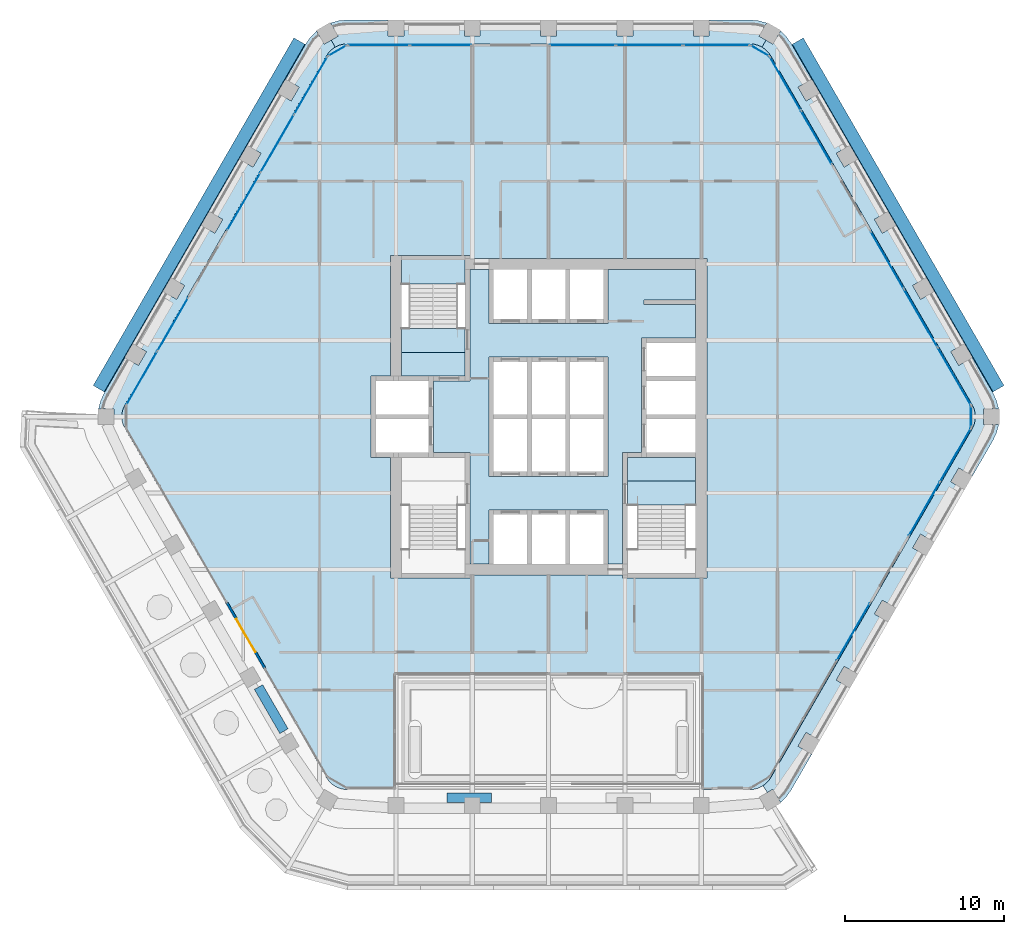
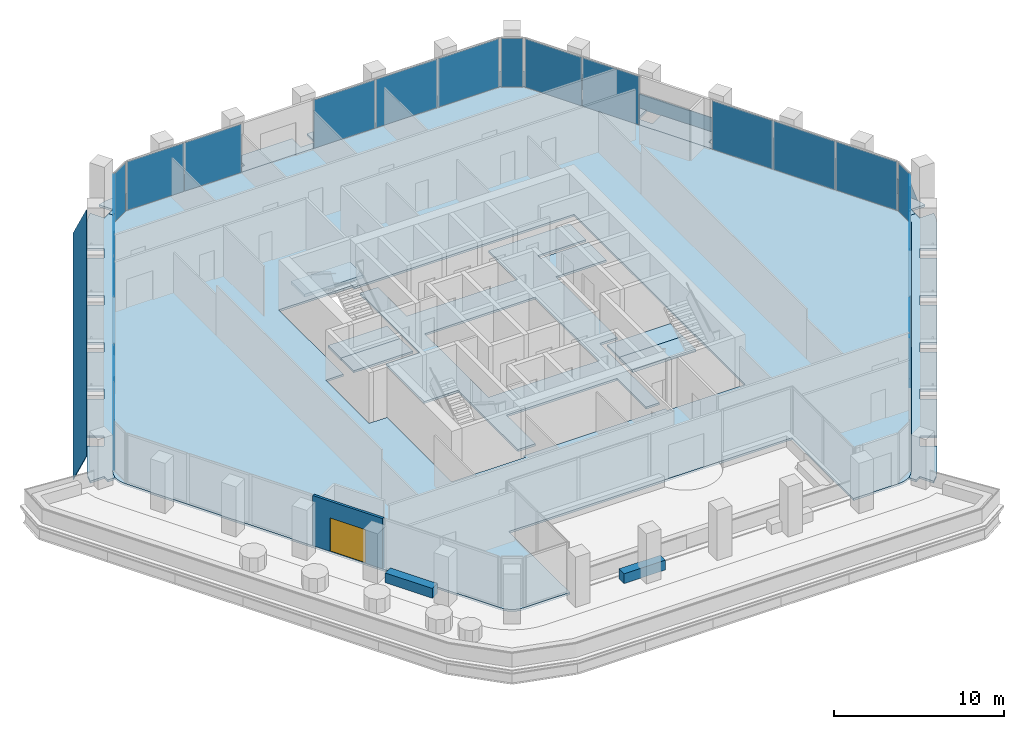
# One storey, part 11 of 18: 23 plates, 11 slabs, 3 walls, 1 door, 1 opening, 13 elements without a shape of their own.
"""IFC4 building model written with IfcOpenShell, lengths in metres."""

from ifc_helpers import new_model, si_unit, direction, frame, frame_2d, origin, origin_2d, place, context, subcontext, project, spatial, polyline, rectangle, outline, extrude, material, layer, layer_set, type_object, element, fill, aggregate, save


model = new_model("IFC4")

# Units and contexts
model_context = context("Model", 3, precision=1e-05, world=origin(), true_north=direction((0.0, 1.0)))
body_context = subcontext(model_context, "Body", "Model", "MODEL_VIEW")
ifc_project = project(units=[si_unit("LENGTHUNIT", "METRE"), si_unit("AREAUNIT", "SQUARE_METRE"), si_unit("VOLUMEUNIT", "CUBIC_METRE"), si_unit("PLANEANGLEUNIT", "RADIAN"), si_unit("MASSUNIT", "GRAM", prefix="KILO")], contexts=[model_context])

# Site, building, storey
site_placement = place(None, origin())
site = spatial("IfcSite", under=ifc_project, at=site_placement, CompositionType="ELEMENT")
building_placement = place(site_placement, origin())
building = spatial("IfcBuilding", under=site, at=building_placement, Name="Kolab Exchange Tower", CompositionType="ELEMENT")
storey_placement = place(building_placement, frame((0.0, 0.0, 212.89990234375)))
storey = spatial("IfcBuildingStorey", under=building, at=storey_placement, Name="L46", CompositionType="ELEMENT", Elevation=212.89990234375)

# Slabs
ifc_material_1 = material(Name="Concrete C35/45", Category="concrete")
ifc_layer_1 = layer(ifc_material_1, 0.14990234375)
ifc_layer_set_1 = layer_set([ifc_layer_1], Name="Concrete C35/45")
slab_type_1 = type_object("IfcSlabType", Name="FLOOR SLAB 150", PredefinedType="FLOOR", material=ifc_layer_set_1)
slab_1_placement = place(storey_placement, frame((0.0, 0.0, -0.14990234375)))
element("IfcSlab", 1, at=slab_1_placement, inside=storey, type_object=slab_type_1, Name="slab/L46/floor/0", PredefinedType="FLOOR", context=body_context, shape_type="SweptSolid", body=[
    extrude(outline(polyline([(-12.66796875, -23.441650390625), (-9.60009765625, -23.441650390625), (-9.60009765625, -16.241455078125), (9.60009765625, -16.241455078125), (9.60009765625, -23.441650390625), (12.66796875, -23.441650390625), (12.928466796875, -23.418701171875), (13.180908203125, -23.35107421875), (13.41796875, -23.240478515625), (13.632080078125, -23.090576171875), (13.81689453125, -22.90576171875), (13.967041015625, -22.691650390625), (26.635009765625, -0.75), (26.745361328125, -0.512939453125), (26.81298828125, -0.260498046875), (26.8359375, 0.0), (26.81298828125, 0.260498046875), (26.745361328125, 0.512939453125), (26.635009765625, 0.75), (13.967041015625, 22.691650390625), (13.81689453125, 22.90576171875), (13.632080078125, 23.090576171875), (13.41796875, 23.240478515625), (13.180908203125, 23.35107421875), (12.928466796875, 23.418701171875), (12.66796875, 23.441650390625), (-12.66796875, 23.441650390625), (-12.928466796875, 23.418701171875), (-13.180908203125, 23.35107421875), (-13.41796875, 23.240478515625), (-13.632080078125, 23.090576171875), (-13.81689453125, 22.90576171875), (-13.967041015625, 22.691650390625), (-26.635009765625, 0.75), (-26.745361328125, 0.512939453125), (-26.81298828125, 0.260498046875), (-26.8359375, 0.0), (-26.81298828125, -0.260498046875), (-26.745361328125, -0.512939453125), (-26.635009765625, -0.75), (-13.967041015625, -22.691650390625), (-13.81689453125, -22.90576171875), (-13.632080078125, -23.090576171875), (-13.41796875, -23.240478515625), (-13.180908203125, -23.35107421875), (-12.928466796875, -23.418701171875), (-12.66796875, -23.441650390625)]), holes=[polyline([(-9.25, -10.14990234375), (-9.949951171875, -10.14990234375), (-9.949951171875, -2.550048828125), (-10.85009765625, -2.550048828125), (-11.14990234375, -2.550048828125), (-11.14990234375, 2.550048828125), (-10.85009765625, 2.550048828125), (-9.949951171875, 2.550048828125), (-9.949951171875, 10.14990234375), (-9.25, 10.14990234375), (-5.25, 10.14990234375), (-4.949951171875, 10.14990234375), (-4.949951171875, 9.949951171875), (9.25, 9.949951171875), (9.949951171875, 9.949951171875), (9.949951171875, -10.14990234375), (9.25, -10.14990234375), (4.949951171875, -10.14990234375), (4.64990234375, -10.14990234375), (4.64990234375, -9.949951171875), (-4.949951171875, -9.949951171875), (-4.949951171875, -10.14990234375), (-5.25, -10.14990234375), (-9.25, -10.14990234375)])]), origin(), (0.0, 0.0, 1.0), 0.14990234375),
])
slab_2_placement = place(storey_placement, frame((0.0, 0.0, -0.14990234375)))
element("IfcSlab", 2, at=slab_2_placement, inside=storey, type_object=slab_type_1, Name="slab/L46/floor/1", PredefinedType="FLOOR", context=body_context, shape_type="SweptSolid", body=[
    extrude(outline(polyline([(-4.949951171875, 9.25), (-4.949951171875, 2.25), (-5.25, 2.25), (-7.25, 2.25), (-7.25, -2.25), (-5.25, -2.25), (-4.949951171875, -2.25), (-4.949951171875, -9.25), (-3.75, -9.25), (-3.75, -5.85009765625), (-3.449951171875, -5.85009765625), (-1.35009765625, -5.85009765625), (-1.050048828125, -5.85009765625), (1.050048828125, -5.85009765625), (1.35009765625, -5.85009765625), (3.449951171875, -5.85009765625), (3.75, -5.85009765625), (3.75, -9.25), (4.64990234375, -9.25), (4.64990234375, -2.25), (4.949951171875, -2.25), (5.85009765625, -2.25), (5.85009765625, 4.949951171875), (6.14990234375, 4.949951171875), (9.25, 4.949951171875), (9.25, 7.050048828125), (6.0, 7.050048828125), (6.0, 7.35009765625), (9.25, 7.35009765625), (9.25, 9.25), (3.75, 9.25), (3.75, 5.85009765625), (3.449951171875, 5.85009765625), (1.35009765625, 5.85009765625), (1.050048828125, 5.85009765625), (-1.050048828125, 5.85009765625), (-1.35009765625, 5.85009765625), (-3.449951171875, 5.85009765625), (-3.75, 5.85009765625), (-3.75, 9.25), (-4.949951171875, 9.25)]), holes=[polyline([(-3.449951171875, -3.75), (-3.75, -3.75), (-3.75, 3.75), (-3.449951171875, 3.75), (-1.35009765625, 3.75), (-1.050048828125, 3.75), (1.050048828125, 3.75), (1.35009765625, 3.75), (3.449951171875, 3.75), (3.75, 3.75), (3.75, -3.75), (3.449951171875, -3.75), (1.35009765625, -3.75), (1.050048828125, -3.75), (-1.050048828125, -3.75), (-1.35009765625, -3.75), (-3.449951171875, -3.75)])]), origin(), (0.0, 0.0, 1.0), 0.14990234375),
])
slab_3_placement = place(storey_placement, frame((0.0, 0.0, -0.14990234375)))
element("IfcSlab", 3, at=slab_3_placement, inside=storey, type_object=slab_type_1, Name="slab/L46/floor/2", PredefinedType="FLOOR", context=body_context, shape_type="SweptSolid", body=[
    extrude(outline(polyline([(4.949951171875, -4.050048828125), (9.25, -4.050048828125), (9.25, -2.550048828125), (6.14990234375, -2.550048828125), (5.85009765625, -2.550048828125), (4.949951171875, -2.550048828125), (4.949951171875, -4.050048828125)])), origin(), (0.0, 0.0, 1.0), 0.14990234375),
])
slab_4_placement = place(storey_placement, frame((0.0, 0.0, -0.14990234375)))
element("IfcSlab", 4, at=slab_4_placement, inside=storey, type_object=slab_type_1, Name="slab/L46/floor/4", PredefinedType="FLOOR", context=body_context, shape_type="SweptSolid", body=[
    extrude(outline(polyline([(-9.25, 2.550048828125), (-7.550048828125, 2.550048828125), (-7.25, 2.550048828125), (-5.25, 2.550048828125), (-5.25, 4.050048828125), (-9.25, 4.050048828125), (-9.25, 2.550048828125)])), origin(), (0.0, 0.0, 1.0), 0.14990234375),
])
ifc_layer_2 = layer(ifc_material_1, 0.14990234375)
ifc_layer_set_2 = layer_set([ifc_layer_2], Name="Concrete C35/45")
slab_type_2 = type_object("IfcSlabType", Name="LOGGIA SLAB 150", PredefinedType="FLOOR", material=ifc_layer_set_2)
slab_5_placement = place(storey_placement, frame((0.0, 0.0, -0.14990234375)))
element("IfcSlab", 5, at=slab_5_placement, inside=storey, type_object=slab_type_2, Name="slab/L46/loggia/0-0", PredefinedType="FLOOR", context=body_context, shape_type="SweptSolid", body=[
    extrude(outline(polyline([(13.180908203125, 23.35107421875), (13.41796875, 23.240478515625), (13.66796875, 23.673583984375), (13.23486328125, 23.923583984375), (13.713134765625, 24.751708984375), (13.694091796875, 24.760498046875), (13.18896484375, 24.89599609375), (12.66796875, 24.941650390625), (10.10009765625, 24.941650390625), (10.10009765625, 23.941650390625), (9.10009765625, 23.941650390625), (9.10009765625, 24.941650390625), (5.300048828125, 24.941650390625), (5.300048828125, 23.941650390625), (4.300048828125, 23.941650390625), (4.300048828125, 24.941650390625), (0.5, 24.941650390625), (0.5, 23.941650390625), (-0.5, 23.941650390625), (-0.5, 24.941650390625), (-4.300048828125, 24.941650390625), (-4.300048828125, 23.941650390625), (-5.300048828125, 23.941650390625), (-5.300048828125, 24.941650390625), (-9.10009765625, 24.941650390625), (-9.10009765625, 23.941650390625), (-10.10009765625, 23.941650390625), (-10.10009765625, 24.941650390625), (-12.66796875, 24.941650390625), (-13.18896484375, 24.89599609375), (-13.694091796875, 24.760498046875), (-13.713134765625, 24.751708984375), (-13.23486328125, 23.923583984375), (-13.66796875, 23.673583984375), (-13.41796875, 23.240478515625), (-13.180908203125, 23.35107421875), (-12.928466796875, 23.418701171875), (-12.66796875, 23.441650390625), (12.66796875, 23.441650390625), (12.928466796875, 23.418701171875), (13.180908203125, 23.35107421875)])), origin(), (0.0, 0.0, 1.0), 0.14990234375),
])
slab_6_placement = place(storey_placement, frame((0.0, 0.0, -0.14990234375)))
element("IfcSlab", 6, at=slab_6_placement, inside=storey, type_object=slab_type_2, Name="slab/L46/loggia/1-0", PredefinedType="FLOOR", context=body_context, shape_type="SweptSolid", body=[
    extrude(outline(polyline([(26.81298828125, 0.260498046875), (26.8359375, 0.0), (27.3359375, 0.0), (27.3359375, 0.5), (28.292236328125, 0.5), (28.290283203125, 0.52099609375), (28.155029296875, 1.026123046875), (27.93408203125, 1.5), (26.64990234375, 3.723876953125), (25.783935546875, 3.223876953125), (25.283935546875, 4.08984375), (26.14990234375, 4.58984375), (24.25, 7.880859375), (23.384033203125, 7.380859375), (22.884033203125, 8.246826171875), (23.75, 8.746826171875), (21.85009765625, 12.037841796875), (20.98388671875, 11.537841796875), (20.48388671875, 12.40380859375), (21.35009765625, 12.90380859375), (19.449951171875, 16.194580078125), (18.583984375, 15.694580078125), (18.083984375, 16.560791015625), (18.949951171875, 17.060791015625), (17.050048828125, 20.3515625), (16.18408203125, 19.8515625), (15.68408203125, 20.717529296875), (16.550048828125, 21.217529296875), (15.26611328125, 23.441650390625), (14.966064453125, 23.869873046875), (14.59619140625, 24.23974609375), (14.5791015625, 24.251708984375), (14.10107421875, 23.423583984375), (13.66796875, 23.673583984375), (13.41796875, 23.240478515625), (13.632080078125, 23.090576171875), (13.81689453125, 22.90576171875), (13.967041015625, 22.691650390625), (26.635009765625, 0.75), (26.745361328125, 0.512939453125), (26.81298828125, 0.260498046875)])), origin(), (0.0, 0.0, 1.0), 0.14990234375),
])
slab_7_placement = place(storey_placement, frame((0.0, 0.0, -0.14990234375)))
element("IfcSlab", 7, at=slab_7_placement, inside=storey, type_object=slab_type_2, Name="slab/L46/loggia/2-0", PredefinedType="FLOOR", context=body_context, shape_type="SweptSolid", body=[
    extrude(outline(polyline([(14.966064453125, -23.869873046875), (15.26611328125, -23.441650390625), (16.550048828125, -21.217529296875), (15.68408203125, -20.717529296875), (16.18408203125, -19.8515625), (17.050048828125, -20.3515625), (18.949951171875, -17.060791015625), (18.083984375, -16.560791015625), (18.583984375, -15.694580078125), (19.449951171875, -16.194580078125), (21.35009765625, -12.90380859375), (20.48388671875, -12.40380859375), (20.98388671875, -11.537841796875), (21.85009765625, -12.037841796875), (23.75, -8.746826171875), (22.884033203125, -8.246826171875), (23.384033203125, -7.380859375), (24.25, -7.880859375), (26.14990234375, -4.58984375), (25.283935546875, -4.08984375), (25.783935546875, -3.223876953125), (26.64990234375, -3.723876953125), (27.93408203125, -1.5), (28.155029296875, -1.026123046875), (28.290283203125, -0.52099609375), (28.292236328125, -0.5), (27.3359375, -0.5), (27.3359375, 0.0), (26.8359375, 0.0), (26.81298828125, -0.260498046875), (26.745361328125, -0.512939453125), (26.635009765625, -0.75), (13.967041015625, -22.691650390625), (13.81689453125, -22.90576171875), (13.632080078125, -23.090576171875), (13.480224609375, -23.197021484375), (13.75537109375, -23.623046875), (14.10107421875, -23.423583984375), (14.5791015625, -24.251708984375), (14.59619140625, -24.23974609375), (14.966064453125, -23.869873046875)])), origin(), (0.0, 0.0, 1.0), 0.14990234375),
])
slab_8_placement = place(storey_placement, frame((0.0, 0.0, -0.14990234375)))
element("IfcSlab", 8, at=slab_8_placement, inside=storey, type_object=slab_type_2, Name="slab/L46/loggia/5-0", PredefinedType="FLOOR", context=body_context, shape_type="SweptSolid", body=[
    extrude(outline(polyline([(-13.632080078125, 23.090576171875), (-13.41796875, 23.240478515625), (-13.66796875, 23.673583984375), (-14.10107421875, 23.423583984375), (-14.5791015625, 24.251708984375), (-14.59619140625, 24.23974609375), (-14.966064453125, 23.869873046875), (-15.26611328125, 23.441650390625), (-16.550048828125, 21.217529296875), (-15.68408203125, 20.717529296875), (-16.18408203125, 19.8515625), (-17.050048828125, 20.3515625), (-18.949951171875, 17.060791015625), (-18.083984375, 16.560791015625), (-18.583984375, 15.694580078125), (-19.449951171875, 16.194580078125), (-21.35009765625, 12.90380859375), (-20.48388671875, 12.40380859375), (-20.98388671875, 11.537841796875), (-21.85009765625, 12.037841796875), (-23.75, 8.746826171875), (-22.884033203125, 8.246826171875), (-23.384033203125, 7.380859375), (-24.25, 7.880859375), (-26.14990234375, 4.58984375), (-25.283935546875, 4.08984375), (-25.783935546875, 3.223876953125), (-26.64990234375, 3.723876953125), (-27.93408203125, 1.5), (-28.155029296875, 1.026123046875), (-28.290283203125, 0.52099609375), (-28.292236328125, 0.5), (-27.3359375, 0.5), (-27.3359375, 0.10107421875), (-26.829345703125, 0.07568359375), (-26.81298828125, 0.260498046875), (-26.745361328125, 0.512939453125), (-26.635009765625, 0.75), (-13.967041015625, 22.691650390625), (-13.81689453125, 22.90576171875), (-13.632080078125, 23.090576171875)])), origin(), (0.0, 0.0, 1.0), 0.14990234375),
])

# Plates
ifc_material_2 = material(Name="Laminated glass, clear", Category="glass")
ifc_layer_3 = layer(ifc_material_2, 0.0400390625)
ifc_layer_set_3 = layer_set([ifc_layer_3], Name="Laminated glass, clear")
plate_type_1 = type_object("IfcPlateType", Name="OUTER SKIN LAMINATED GLASS SHEET 40", PredefinedType="SHEET", material=ifc_layer_set_3)
plate_1_placement = place(storey_placement, frame((16.012939453125, 23.81494140625, -0.68310546875), z_axis=(0.784921424967, 0.453177541769, 0.422526297718), x_axis=(0.500002437608, -0.866023996427, 0.0)))
element("IfcPlate", 9, at=plate_1_placement, inside=storey, type_object=plate_type_1, Name="Outer skin", PredefinedType="SHEET", context=body_context, shape_type="SweptSolid", body=[
    extrude(outline(polyline([(0.0, 0.0), (25.23571681420436, 8.881784197001252e-16), (25.23576815517371, -1.8869132493470469), (5.13409693500401e-05, -1.8869132493470473), (0.0, 0.0)])), origin(), (0.0, 0.0, -1.0), 0.0400390625),
])
plate_2_placement = place(storey_placement, frame((-28.630859375, 1.960205078125, -0.68310546875), z_axis=(-0.784921424967, 0.453177541769, 0.422526297718), x_axis=(0.500002437608, 0.866023996427, 0.0)))
element("IfcPlate", 10, at=plate_2_placement, inside=storey, type_object=plate_type_1, Name="Outer skin", PredefinedType="SHEET", context=body_context, shape_type="SweptSolid", body=[
    extrude(outline(polyline([(0.0, 0.0), (25.23571681420436, -8.881784197001252e-16), (25.23566547323501, -1.8869132493470477), (-5.13409693500401e-05, -1.8869132493470473), (0.0, 0.0)])), origin(), (0.0, 0.0, -1.0), 0.0400390625),
])

# Stair, slabs
ifc_material_3 = material(Name="Concrete C50/60", Category="concrete")
stair_type_1 = type_object("IfcStairType", Name="STAIR ST1 RISER 177.3", PredefinedType="HALF_TURN_STAIR", material=ifc_material_3)
stair_1_placement = place(storey_placement, origin())
stair_1 = element("IfcStair", 11, at=stair_1_placement, inside=storey, type_object=stair_type_1, Name="Stair 1", PredefinedType="HALF_TURN_STAIR")
ifc_layer_4 = layer(ifc_material_3, 0.199951171875)
ifc_layer_set_4 = layer_set([ifc_layer_4], Name="Concrete C50/60")
slab_type_3 = type_object("IfcSlabType", Name="STAIR LANDING 200", PredefinedType="LANDING", material=ifc_layer_set_4)
slab_9_placement = place(storey_placement, frame((0.0, 0.0, -0.199951171875)))
slab_9 = element("IfcSlab", 12, at=slab_9_placement, type_object=slab_type_3, Name="ST1 landing 1", PredefinedType="LANDING", context=body_context, shape_type="SweptSolid", body=[
    extrude(outline(polyline([(-9.25, 4.050048828125), (-5.25, 4.050048828125), (-5.25, 5.550048828125), (-9.25, 5.550048828125), (-9.25, 4.050048828125)])), origin(), (0.0, 0.0, 1.0), 0.199951171875),
])
slab_10_placement = place(storey_placement, frame((0.0, 0.0, 1.75)))
slab_10 = element("IfcSlab", 13, at=slab_10_placement, type_object=slab_type_3, Name="ST1 landing 2", PredefinedType="LANDING", context=body_context, shape_type="SweptSolid", body=[
    extrude(outline(polyline([(-9.25, 8.35009765625), (-5.25, 8.35009765625), (-5.25, 9.909912109375), (-9.25, 9.909912109375), (-9.25, 8.35009765625)])), origin(), (0.0, 0.0, 1.0), 0.2001953125),
])
aggregate(stair_1, [slab_9, slab_10])

# Stair, slab
stair_type_2 = type_object("IfcStairType", Name="STAIR ST2 RISER 177.3", PredefinedType="HALF_TURN_STAIR", material=ifc_material_3)
stair_2_placement = place(storey_placement, origin())
stair_2 = element("IfcStair", 14, at=stair_2_placement, inside=storey, type_object=stair_type_2, Name="Stair 2", PredefinedType="HALF_TURN_STAIR")
slab_11_placement = place(storey_placement, frame((0.0, 0.0, -0.199951171875)))
slab_11 = element("IfcSlab", 15, at=slab_11_placement, type_object=slab_type_3, Name="ST2 landing 1", PredefinedType="LANDING", context=body_context, shape_type="SweptSolid", body=[
    extrude(outline(polyline([(4.949951171875, -5.550048828125), (9.25, -5.550048828125), (9.25, -4.050048828125), (4.949951171875, -4.050048828125), (4.949951171875, -5.550048828125)])), origin(), (0.0, 0.0, 1.0), 0.199951171875),
])
aggregate(stair_2, [slab_11])

# Curtain wall, plates
ifc_material_4 = material(Name="Aluminium EN AW-6063 T6", Category="aluminium")
curtain_wall_type = type_object("IfcCurtainWallType", Name="UNITISED UPPER MID ZONE CURTAIN WALL", PredefinedType="NOTDEFINED", material=ifc_material_4)
curtain_wall_1_placement = place(storey_placement, origin())
curtain_wall_1 = element("IfcCurtainWall", 16, at=curtain_wall_1_placement, inside=storey, type_object=curtain_wall_type, Name="cw/L46/F1-1", PredefinedType="NOTDEFINED")
ifc_material_5 = material(Name="Clear insulated glazing unit", Category="glass")
ifc_layer_5 = layer(ifc_material_5, 0.028076171875)
ifc_layer_set_5 = layer_set([ifc_layer_5], Name="Clear insulated glazing unit")
plate_type_2 = type_object("IfcPlateType", Name="UNITISED UPPER MID ZONE GLASS PANEL 28", PredefinedType="CURTAIN_PANEL", material=ifc_layer_set_5)
plate_3_placement = place(storey_placement, frame((-10.68603515625, 23.361572265625, 0.06005859375), z_axis=(0.0, 0.0, 1.0), x_axis=(1.0, 0.0, 0.0)))
plate_3 = element("IfcPlate", 17, at=plate_3_placement, type_object=plate_type_2, Name="CW3 panel 1.1", PredefinedType="CURTAIN_PANEL", context=body_context, shape_type="SweptSolid", body=[
    extrude(rectangle(XDim=3.843994140625, YDim=0.028076171875, at=origin_2d()), origin(), (0.0, 0.0, 1.0), 3.47998046875),
])
plate_4_placement = place(storey_placement, frame((-6.781982421875, 23.361572265625, 0.06005859375), z_axis=(0.0, 0.0, 1.0), x_axis=(1.0, 0.0, 0.0)))
plate_4 = element("IfcPlate", 18, at=plate_4_placement, type_object=plate_type_2, Name="CW3 panel 2.1", PredefinedType="CURTAIN_PANEL", context=body_context, shape_type="SweptSolid", body=[
    extrude(rectangle(XDim=3.843994140625, YDim=0.028076171875, at=origin_2d()), origin(), (0.0, 0.0, 1.0), 3.47998046875),
])
aggregate(curtain_wall_1, [plate_3, plate_4])

curtain_wall_2_placement = place(storey_placement, origin())
curtain_wall_2 = element("IfcCurtainWall", 19, at=curtain_wall_2_placement, inside=storey, type_object=curtain_wall_type, Name="cw/L46/F1-2", PredefinedType="NOTDEFINED")
plate_5_placement = place(storey_placement, frame((2.126220703125, 23.361572265625, 0.06005859375), z_axis=(0.0, 0.0, 1.0), x_axis=(1.0, 0.0, 0.0)))
plate_5 = element("IfcPlate", 20, at=plate_5_placement, type_object=plate_type_2, Name="CW3 panel 1.1", PredefinedType="CURTAIN_PANEL", context=body_context, shape_type="SweptSolid", body=[
    extrude(rectangle(XDim=4.132568359375, YDim=0.028076171875, at=origin_2d()), origin(), (0.0, 0.0, 1.0), 3.47998046875),
])
plate_6_placement = place(storey_placement, frame((6.333984375, 23.361572265625, 0.06005859375), z_axis=(0.0, 0.0, 1.0), x_axis=(1.0, 0.0, 0.0)))
plate_6 = element("IfcPlate", 21, at=plate_6_placement, type_object=plate_type_2, Name="CW3 panel 2.1", PredefinedType="CURTAIN_PANEL", context=body_context, shape_type="SweptSolid", body=[
    extrude(rectangle(XDim=4.16259765625, YDim=0.028076171875, at=origin_2d()), origin(), (0.0, 0.0, 1.0), 3.47998046875),
])
plate_7_placement = place(storey_placement, frame((10.54150390625, 23.361572265625, 0.06005859375), z_axis=(0.0, 0.0, 1.0), x_axis=(1.0, 0.0, 0.0)))
plate_7 = element("IfcPlate", 22, at=plate_7_placement, type_object=plate_type_2, Name="CW3 panel 3.1", PredefinedType="CURTAIN_PANEL", context=body_context, shape_type="SweptSolid", body=[
    extrude(rectangle(XDim=4.132568359375, YDim=0.028076171875, at=origin_2d()), origin(), (0.0, 0.0, 1.0), 3.47998046875),
])
aggregate(curtain_wall_2, [plate_5, plate_6, plate_7])

curtain_wall_3_placement = place(storey_placement, origin())
curtain_wall_3 = element("IfcCurtainWall", 23, at=curtain_wall_3_placement, inside=storey, type_object=curtain_wall_type, Name="cw/L46/F2-1", PredefinedType="NOTDEFINED")
plate_8_placement = place(storey_placement, frame((14.888671875, 20.93505859375, 0.06005859375), z_axis=(0.0, 0.0, 1.0), x_axis=(0.500000031681, -0.866025385493, 0.0)))
plate_8 = element("IfcPlate", 24, at=plate_8_placement, type_object=plate_type_2, Name="CW3 panel 1.1", PredefinedType="CURTAIN_PANEL", context=body_context, shape_type="SweptSolid", body=[
    extrude(rectangle(XDim=3.843994140625, YDim=0.028076171875, at=origin_2d()), origin(), (0.0, 0.0, 1.0), 3.47998046875),
])
plate_9_placement = place(storey_placement, frame((16.840576171875, 17.55419921875, 0.06005859375), z_axis=(0.0, 0.0, 1.0), x_axis=(0.500000031681, -0.866025385493, 0.0)))
plate_9 = element("IfcPlate", 25, at=plate_9_placement, type_object=plate_type_2, Name="CW3 panel 2.1", PredefinedType="CURTAIN_PANEL", context=body_context, shape_type="SweptSolid", body=[
    extrude(rectangle(XDim=3.843994140625, YDim=0.028076171875, at=origin_2d()), origin(), (0.0, 0.0, 1.0), 3.47998046875),
])
aggregate(curtain_wall_3, [plate_8, plate_9])

curtain_wall_4_placement = place(storey_placement, origin())
curtain_wall_4 = element("IfcCurtainWall", 26, at=curtain_wall_4_placement, inside=storey, type_object=curtain_wall_type, Name="cw/L46/F2-2", PredefinedType="NOTDEFINED")
plate_10_placement = place(storey_placement, frame((21.294921875, 9.83935546875, 0.06005859375), z_axis=(0.0, 0.0, 1.0), x_axis=(0.499999958358, -0.866025427826, 0.0)))
plate_10 = element("IfcPlate", 27, at=plate_10_placement, type_object=plate_type_2, Name="CW3 panel 1.1", PredefinedType="CURTAIN_PANEL", context=body_context, shape_type="SweptSolid", body=[
    extrude(rectangle(XDim=4.132568359375, YDim=0.028076171875, at=origin_2d()), origin(), (0.0, 0.0, 1.0), 3.47998046875),
])
plate_11_placement = place(storey_placement, frame((23.398681640625, 6.1953125, 0.06005859375), z_axis=(0.0, 0.0, 1.0), x_axis=(0.499999958358, -0.866025427826, 0.0)))
plate_11 = element("IfcPlate", 28, at=plate_11_placement, type_object=plate_type_2, Name="CW3 panel 2.1", PredefinedType="CURTAIN_PANEL", context=body_context, shape_type="SweptSolid", body=[
    extrude(rectangle(XDim=4.16259765625, YDim=0.028076171875, at=origin_2d()), origin(), (0.0, 0.0, 1.0), 3.47998046875),
])
plate_12_placement = place(storey_placement, frame((25.50244140625, 2.551513671875, 0.06005859375), z_axis=(0.0, 0.0, 1.0), x_axis=(0.499999958358, -0.866025427826, 0.0)))
plate_12 = element("IfcPlate", 29, at=plate_12_placement, type_object=plate_type_2, Name="CW3 panel 3.1", PredefinedType="CURTAIN_PANEL", context=body_context, shape_type="SweptSolid", body=[
    extrude(rectangle(XDim=4.132568359375, YDim=0.028076171875, at=origin_2d()), origin(), (0.0, 0.0, 1.0), 3.47998046875),
])
aggregate(curtain_wall_4, [plate_10, plate_11, plate_12])

curtain_wall_5_placement = place(storey_placement, origin())
curtain_wall_5 = element("IfcCurtainWall", 30, at=curtain_wall_5_placement, inside=storey, type_object=curtain_wall_type, Name="cw/L46/F3-1", PredefinedType="NOTDEFINED")
plate_13_placement = place(storey_placement, frame((25.57470703125, -2.426513671875, 0.06005859375), z_axis=(0.0, 0.0, 1.0), x_axis=(-0.499999936366, -0.866025440524, 0.0)))
plate_13 = element("IfcPlate", 31, at=plate_13_placement, type_object=plate_type_2, Name="CW3 panel 1.1", PredefinedType="CURTAIN_PANEL", context=body_context, shape_type="SweptSolid", body=[
    extrude(rectangle(XDim=3.843994140625, YDim=0.028076171875, at=origin_2d()), origin(), (0.0, 0.0, 1.0), 3.47998046875),
])
plate_14_placement = place(storey_placement, frame((23.62255859375, -5.807373046875, 0.06005859375), z_axis=(0.0, 0.0, 1.0), x_axis=(-0.499999936366, -0.866025440524, 0.0)))
plate_14 = element("IfcPlate", 32, at=plate_14_placement, type_object=plate_type_2, Name="CW3 panel 2.1", PredefinedType="CURTAIN_PANEL", context=body_context, shape_type="SweptSolid", body=[
    extrude(rectangle(XDim=3.843994140625, YDim=0.028076171875, at=origin_2d()), origin(), (0.0, 0.0, 1.0), 3.47998046875),
])
aggregate(curtain_wall_5, [plate_13, plate_14])

# Curtain wall, plate
curtain_wall_6_placement = place(storey_placement, origin())
curtain_wall_6 = element("IfcCurtainWall", 33, at=curtain_wall_6_placement, inside=storey, type_object=curtain_wall_type, Name="cw/L46/F3-2", PredefinedType="NOTDEFINED")
plate_15_placement = place(storey_placement, frame((19.16845703125, -13.522216796875, 0.06005859375), z_axis=(0.0, 0.0, 1.0), x_axis=(-0.500000017564, -0.866025393644, 0.0)))
plate_15 = element("IfcPlate", 34, at=plate_15_placement, type_object=plate_type_2, Name="CW3 panel 1.1", PredefinedType="CURTAIN_PANEL", context=body_context, shape_type="SweptSolid", body=[
    extrude(rectangle(XDim=4.132568359375, YDim=0.028076171875, at=origin_2d()), origin(), (0.0, 0.0, 1.0), 3.47998046875),
])
aggregate(curtain_wall_6, [plate_15])

# Curtain wall, plates
curtain_wall_7_placement = place(storey_placement, origin())
curtain_wall_7 = element("IfcCurtainWall", 35, at=curtain_wall_7_placement, inside=storey, type_object=curtain_wall_type, Name="cw/L46/F6-1", PredefinedType="NOTDEFINED")
plate_16_placement = place(storey_placement, frame((-25.57470703125, 2.426513671875, 0.06005859375), z_axis=(0.0, 0.0, 1.0), x_axis=(0.499999936366, 0.866025440524, 0.0)))
plate_16 = element("IfcPlate", 36, at=plate_16_placement, type_object=plate_type_2, Name="CW3 panel 1.1", PredefinedType="CURTAIN_PANEL", context=body_context, shape_type="SweptSolid", body=[
    extrude(rectangle(XDim=3.843994140625, YDim=0.028076171875, at=origin_2d()), origin(), (0.0, 0.0, 1.0), 3.47998046875),
])
plate_17_placement = place(storey_placement, frame((-23.62255859375, 5.807373046875, 0.06005859375), z_axis=(0.0, 0.0, 1.0), x_axis=(0.499999936366, 0.866025440524, 0.0)))
plate_17 = element("IfcPlate", 37, at=plate_17_placement, type_object=plate_type_2, Name="CW3 panel 2.1", PredefinedType="CURTAIN_PANEL", context=body_context, shape_type="SweptSolid", body=[
    extrude(rectangle(XDim=3.843994140625, YDim=0.028076171875, at=origin_2d()), origin(), (0.0, 0.0, 1.0), 3.47998046875),
])
aggregate(curtain_wall_7, [plate_16, plate_17])

curtain_wall_8_placement = place(storey_placement, origin())
curtain_wall_8 = element("IfcCurtainWall", 38, at=curtain_wall_8_placement, inside=storey, type_object=curtain_wall_type, Name="cw/L46/F6-2", PredefinedType="NOTDEFINED")
plate_18_placement = place(storey_placement, frame((-19.16845703125, 13.522216796875, 0.06005859375), z_axis=(0.0, 0.0, 1.0), x_axis=(0.500000017564, 0.866025393644, 0.0)))
plate_18 = element("IfcPlate", 39, at=plate_18_placement, type_object=plate_type_2, Name="CW3 panel 1.1", PredefinedType="CURTAIN_PANEL", context=body_context, shape_type="SweptSolid", body=[
    extrude(rectangle(XDim=4.132568359375, YDim=0.028076171875, at=origin_2d()), origin(), (0.0, 0.0, 1.0), 3.47998046875),
])
plate_19_placement = place(storey_placement, frame((-17.064697265625, 17.166259765625, 0.06005859375), z_axis=(0.0, 0.0, 1.0), x_axis=(0.500000017564, 0.866025393644, 0.0)))
plate_19 = element("IfcPlate", 40, at=plate_19_placement, type_object=plate_type_2, Name="CW3 panel 2.1", PredefinedType="CURTAIN_PANEL", context=body_context, shape_type="SweptSolid", body=[
    extrude(rectangle(XDim=4.16259765625, YDim=0.028076171875, at=origin_2d()), origin(), (0.0, 0.0, 1.0), 3.47998046875),
])
plate_20_placement = place(storey_placement, frame((-14.9609375, 20.81005859375, 0.06005859375), z_axis=(0.0, 0.0, 1.0), x_axis=(0.500000017564, 0.866025393644, 0.0)))
plate_20 = element("IfcPlate", 41, at=plate_20_placement, type_object=plate_type_2, Name="CW3 panel 3.1", PredefinedType="CURTAIN_PANEL", context=body_context, shape_type="SweptSolid", body=[
    extrude(rectangle(XDim=4.132568359375, YDim=0.028076171875, at=origin_2d()), origin(), (0.0, 0.0, 1.0), 3.47998046875),
])
aggregate(curtain_wall_8, [plate_18, plate_19, plate_20])

# Curtain wall, plate
curtain_wall_9_placement = place(storey_placement, origin())
curtain_wall_9 = element("IfcCurtainWall", 42, at=curtain_wall_9_placement, inside=storey, type_object=curtain_wall_type, Name="cw/L46/F1F2-corner", PredefinedType="NOTDEFINED")
plate_21_placement = place(storey_placement, frame((13.28271484375, 23.006591796875, 0.06005859375), z_axis=(0.0, 0.0, 1.0), x_axis=(0.866025390869, -0.50000002237, 0.0)))
plate_21 = element("IfcPlate", 43, at=plate_21_placement, type_object=plate_type_2, Name="CW3 panel 1.1", PredefinedType="CURTAIN_PANEL", context=body_context, shape_type="SweptSolid", body=[
    extrude(rectangle(XDim=1.300048828125, YDim=0.028076171875, at=origin_2d()), origin(), (0.0, 0.0, 1.0), 3.47998046875),
])
aggregate(curtain_wall_9, [plate_21])

curtain_wall_10_placement = place(storey_placement, origin())
curtain_wall_10 = element("IfcCurtainWall", 44, at=curtain_wall_10_placement, inside=storey, type_object=curtain_wall_type, Name="cw/L46/F2F3-corner", PredefinedType="NOTDEFINED")
plate_22_placement = place(storey_placement, frame((26.565673828125, 0.0, 0.06005859375), z_axis=(0.0, 0.0, 1.0), x_axis=(0.0, -1.0, 0.0)))
plate_22 = element("IfcPlate", 45, at=plate_22_placement, type_object=plate_type_2, Name="CW3 panel 1.1", PredefinedType="CURTAIN_PANEL", context=body_context, shape_type="SweptSolid", body=[
    extrude(rectangle(XDim=1.300048828125, YDim=0.028076171875, at=origin_2d()), origin(), (0.0, 0.0, 1.0), 3.47998046875),
])
aggregate(curtain_wall_10, [plate_22])

curtain_wall_11_placement = place(storey_placement, origin())
curtain_wall_11 = element("IfcCurtainWall", 46, at=curtain_wall_11_placement, inside=storey, type_object=curtain_wall_type, Name="cw/L46/F6F1-corner", PredefinedType="NOTDEFINED")
plate_23_placement = place(storey_placement, frame((-13.28271484375, 23.006591796875, 0.06005859375), z_axis=(0.0, 0.0, 1.0), x_axis=(0.866025390869, 0.50000002237, 0.0)))
plate_23 = element("IfcPlate", 47, at=plate_23_placement, type_object=plate_type_2, Name="CW3 panel 1.1", PredefinedType="CURTAIN_PANEL", context=body_context, shape_type="SweptSolid", body=[
    extrude(rectangle(XDim=1.300048828125, YDim=0.028076171875, at=origin_2d()), origin(), (0.0, 0.0, 1.0), 3.47998046875),
])
aggregate(curtain_wall_11, [plate_23])

# Wall, opening, door
ifc_layer_6 = layer(ifc_material_4, 0.159912109375)
ifc_layer_set_6 = layer_set([ifc_layer_6], Name="Aluminium EN AW-6063 T6")
wall_type_1 = type_object("IfcWallType", Name="DOOR SURROUND WALL 160 ALUMINIUM FRAMED", PredefinedType="PARTITIONING", material=ifc_layer_set_6)
wall_1_placement = place(storey_placement, frame((-17.8466796875, -15.811767578125, 0.0), z_axis=(0.0, 0.0, 1.0), x_axis=(-0.5000167099, 0.866015756104, 0.0)))
wall_1 = element("IfcWall", 48, at=wall_1_placement, inside=storey, type_object=wall_type_1, Name="Door surround wall", PredefinedType="PARTITIONING", context=body_context, shape_type="SweptSolid", body=[
    extrude(rectangle(XDim=4.739990234375, YDim=0.159912109375, at=frame_2d((2.3701171875, 0.0))), origin(), (0.0, 0.0, 1.0), 3.60009765625),
])
opening_placement = place(wall_1_placement, frame((1.169921875, 0.0, 0.0)))
opening = element("IfcOpeningElement", 49, at=opening_placement, cuts=wall_1, Name="Opening GD1-074", PredefinedType="OPENING", context=body_context, shape_type="SweptSolid", body=[
    extrude(rectangle(XDim=2.39990234375, YDim=2.39990234375, at=frame_2d((1.199951171875, 1.199951171875))), frame((0.0, 0.08984375, 0.0), z_axis=(0.0, -1.0, 0.0), x_axis=(1.0, 0.0, 0.0)), (0.0, 0.0, 1.0), 0.179931640625),
])
door_type = type_object("IfcDoorType", Name="LOGGIA SLIDING GLASS DOOR 2400 X 2400", OperationType="DOUBLE_DOOR_SINGLE_SWING", PredefinedType="DOOR", material=ifc_material_4)
door_placement = place(opening_placement, origin())
door = element("IfcDoor", 50, at=door_placement, inside=storey, type_object=door_type, Name="Loggia door", OperationType="DOUBLE_DOOR_SLIDING", OverallHeight=2.39990234375, OverallWidth=2.39990234375, PredefinedType="DOOR", context=body_context, shape_type="SweptSolid", body=[
    extrude(rectangle(XDim=2.39990234375, YDim=2.39990234375, at=frame_2d((1.199951171875, 1.199951171875))), frame((0.0, 0.02490234375, 0.0), z_axis=(0.0, -1.0, 0.0), x_axis=(1.0, 0.0, 0.0)), (0.0, 0.0, 1.0), 0.050048828125),
])
fill(opening, door)

# Walls
ifc_material_6 = material(Name="Granite facing", Category="masonry")
ifc_layer_7 = layer(ifc_material_6, 0.0400390625)
ifc_material_7 = material(Name="Concrete C40/50 precast", Category="concrete")
ifc_layer_8 = layer(ifc_material_7, 0.56005859375)
ifc_layer_set_7 = layer_set([ifc_layer_7, ifc_layer_8], Name="Concrete C40/50 precast")
wall_type_2 = type_object("IfcWallType", Name="PLANTER BOX 600 X 700 SOIL DEPTH 550", PredefinedType="USERDEFINED", material=ifc_layer_set_7)
wall_2_placement = place(storey_placement, frame((-16.636962890625, -19.766845703125, 0.0), z_axis=(0.0, 0.0, 1.0), x_axis=(-0.500028443584, 0.866008981251, 0.0)))
element("IfcWall", 51, at=wall_2_placement, inside=storey, type_object=wall_type_2, Name="Planter", ObjectType="PLANTER", PredefinedType="USERDEFINED", context=body_context, shape_type="SweptSolid", body=[
    extrude(rectangle(XDim=3.199951171875, YDim=0.60009765625, at=frame_2d((1.60009765625, 0.0))), origin(), (0.0, 0.0, 1.0), 0.7001953125),
])
wall_3_placement = place(storey_placement, frame((-3.60009765625, -23.941650390625, 0.0), z_axis=(0.0, 0.0, 1.0), x_axis=(-1.0, 0.0, 0.0)))
element("IfcWall", 52, at=wall_3_placement, inside=storey, type_object=wall_type_2, Name="Planter", ObjectType="PLANTER", PredefinedType="USERDEFINED", context=body_context, shape_type="SweptSolid", body=[
    extrude(rectangle(XDim=2.7998046875, YDim=0.60009765625, at=frame_2d((1.39990234375, 0.0))), origin(), (0.0, 0.0, 1.0), 0.7001953125),
])

save(model, "model.ifc")
